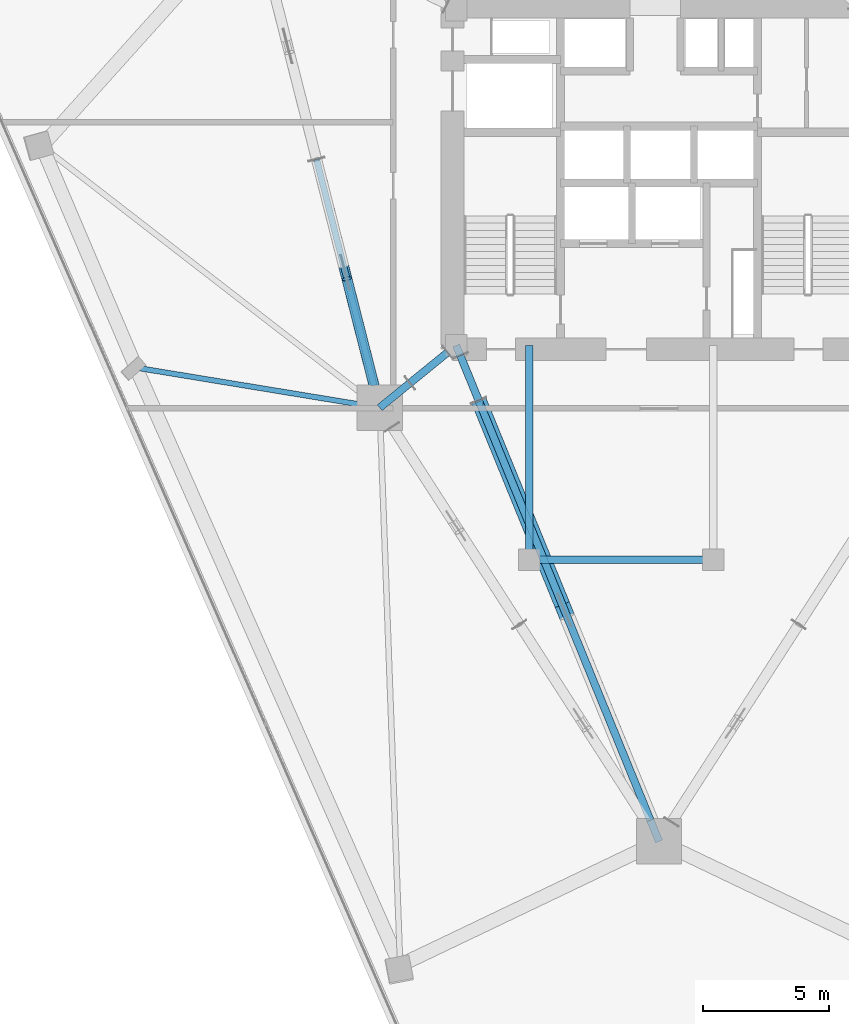
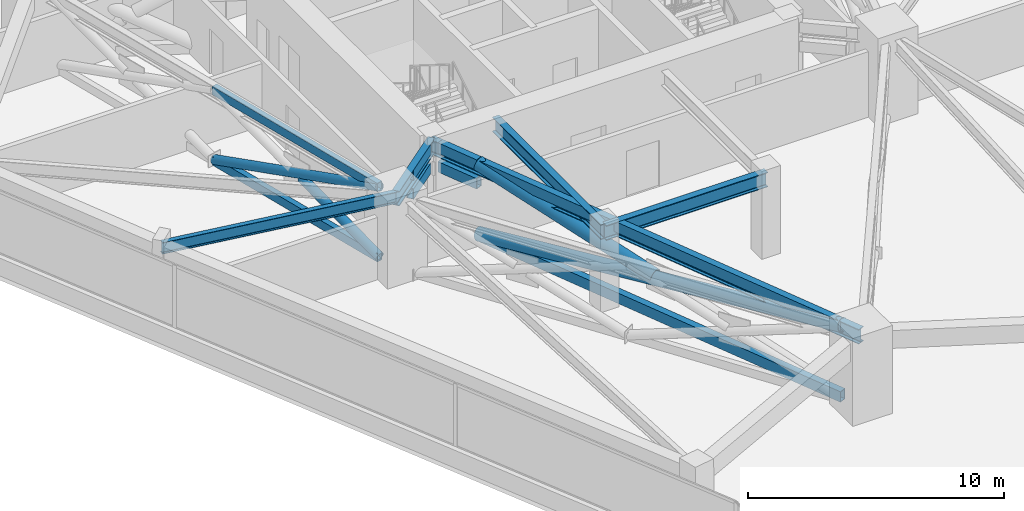
# One storey, part 7 of 20: 12 members, 5 beams.
"""IFC4 building model written with IfcOpenShell, lengths in metres."""

from ifc_helpers import new_model, si_unit, direction, frame, origin, origin_2d, place, context, subcontext, project, spatial, hollow_rectangle, hollow_circle, i_section, extrude, material, material_profile, profile_set, type_object, element, save


model = new_model("IFC4")

# Units and contexts
model_context = context("Model", 3, precision=1e-05, world=origin(), true_north=direction((0.0, 1.0)))
body_context = subcontext(model_context, "Body", "Model", "MODEL_VIEW")
ifc_project = project(units=[si_unit("LENGTHUNIT", "METRE"), si_unit("AREAUNIT", "SQUARE_METRE"), si_unit("VOLUMEUNIT", "CUBIC_METRE"), si_unit("PLANEANGLEUNIT", "RADIAN"), si_unit("MASSUNIT", "GRAM", prefix="KILO")], contexts=[model_context])

# Site, building, storey
site_placement = place(None, origin())
site = spatial("IfcSite", under=ifc_project, at=site_placement, CompositionType="ELEMENT")
building_placement = place(site_placement, origin())
building = spatial("IfcBuilding", under=site, at=building_placement, Name="Talyreon Biosciences Tower", CompositionType="ELEMENT")
storey_placement = place(building_placement, frame((0.0, 0.0, 66.60009765625)))
storey = spatial("IfcBuildingStorey", under=building, at=storey_placement, Name="L17", CompositionType="ELEMENT", Elevation=66.60009765625)

# Members
ifc_material = material(Name="Steel SM355", Category="steel")
ifc_material_profile_1 = material_profile(ifc_material, hollow_circle(Radius=0.203125, WallThickness=0.01611328125, at=origin_2d()), Name="CHS 406.4x16")
ifc_profile_set_1 = profile_set([ifc_material_profile_1], Name="Steel SM355")
member_type_1 = type_object("IfcMemberType", Name="BeltBrace_CHS406", PredefinedType="BRACE", material=ifc_profile_set_1)
member_1_placement = place(storey_placement, frame((52.40576171875, 68.739501953125, 0.239990234375), z_axis=(0.231759370817, -0.911056641468, 0.340974178018), x_axis=(0.969134278925, 0.246533465097, 0.0)))
element("IfcMember", 1, at=member_1_placement, inside=storey, type_object=member_type_1, Name="L17 Continuous Diagonal BELT-L17-B5S2A", PredefinedType="BRACE", context=body_context, shape_type="SweptSolid", body=[
    extrude(hollow_circle(Radius=0.203125, WallThickness=0.01611328125, at=origin_2d()), origin(), (0.0, 0.0, 1.0), 9.853759765625),
])
member_2_placement = place(storey_placement, frame((54.689453125, 59.76220703125, 0.239990234375), z_axis=(-0.231745068683, 0.911061264119, 0.340971547439), x_axis=(-0.969138212624, -0.246518001031, 0.0)))
element("IfcMember", 2, at=member_2_placement, inside=storey, type_object=member_type_1, Name="L17 Split Diagonal BELT-L17-B5S2B-Lower", PredefinedType="BRACE", context=body_context, shape_type="SweptSolid", body=[
    extrude(hollow_circle(Radius=0.203125, WallThickness=0.01611328125, at=origin_2d()), origin(), (0.0, 0.0, 1.0), 4.64697265625),
])
ifc_material_profile_2 = material_profile(ifc_material, hollow_rectangle(XDim=0.25, YDim=0.39990234375, WallThickness=0.01611328125, at=origin_2d()), Name="RHS 400x250x16")
ifc_profile_set_2 = profile_set([ifc_material_profile_2], Name="Steel SM355")
member_type_2 = type_object("IfcMemberType", Name="BeltChord_RHS400x250", PredefinedType="CHORD", material=ifc_profile_set_2)
for number, where, z_axis, x_axis, name in (
    (3, (52.40576171875, 68.739501953125, 0.239990234375), (0.246533465097, -0.969134278925, 0.0), (0.969134278925, 0.246533465097, 0.0), "L17 Truss Bottom Chord BELT-L17-B5S2"),
    (4, (52.40576171875, 68.739501953125, 3.599853515625), (0.246533465097, -0.969134278925, 0.0), (0.969134278925, 0.246533465097, 0.0), "L17 Truss Top Chord BELT-L17-B5S2"),
):
    element("IfcMember", number, at=place(storey_placement, frame(where, z_axis=z_axis, x_axis=x_axis)), inside=storey, type_object=member_type_2, Name=name, PredefinedType="CHORD", context=body_context, shape_type="SweptSolid", body=[
        extrude(hollow_rectangle(XDim=0.25, YDim=0.39990234375, WallThickness=0.01611328125, at=origin_2d()), origin(), (0.0, 0.0, 1.0), 9.26318359375),
    ])
ifc_material_profile_3 = material_profile(ifc_material, hollow_circle(Radius=0.304931640625, WallThickness=0.02490234375, at=origin_2d()), Name="CHS 610x25")
ifc_profile_set_3 = profile_set([ifc_material_profile_3], Name="Steel SM355")
member_type_3 = type_object("IfcMemberType", Name="OutriggerBrace_CHS610", PredefinedType="BRACE", material=ifc_profile_set_3)
member_3_placement = place(storey_placement, frame((58.839599609375, 59.1748046875, 0.239990234375), z_axis=(0.372123981162, -0.909876323594, 0.183436142587), x_axis=(0.925581942334, 0.378547312796, 0.0)))
element("IfcMember", 5, at=member_3_placement, inside=storey, type_object=member_type_3, Name="L17 Continuous Diagonal OUT-L17-R1A", PredefinedType="BRACE", context=body_context, shape_type="SweptSolid", body=[
    extrude(hollow_circle(Radius=0.304931640625, WallThickness=0.02490234375, at=origin_2d()), origin(), (0.0, 0.0, 1.0), 18.316162109375),
])
member_4_placement = place(storey_placement, frame((62.143310546875, 51.096923828125, 1.97119140625), z_axis=(-0.37212257284, 0.909874339903, 0.183448838562), x_axis=(-0.925582155129, -0.378546792493, 0.0)))
element("IfcMember", 6, at=member_4_placement, inside=storey, type_object=member_type_3, Name="L17 Split Diagonal OUT-L17-R1B-Upper", PredefinedType="BRACE", context=body_context, shape_type="SweptSolid", body=[
    extrude(hollow_circle(Radius=0.304931640625, WallThickness=0.02490234375, at=origin_2d()), origin(), (0.0, 0.0, 1.0), 8.8779296875),
])
ifc_material_profile_4 = material_profile(ifc_material, hollow_rectangle(XDim=0.300048828125, YDim=0.5, WallThickness=0.02001953125, at=origin_2d()), Name="RHS 500x300x20")
ifc_profile_set_4 = profile_set([ifc_material_profile_4], Name="Steel SM355")
member_type_4 = type_object("IfcMemberType", Name="OutriggerChord_RHS500x300", PredefinedType="CHORD", material=ifc_profile_set_4)
for number, where, z_axis, x_axis, name in (
    (7, (58.11474609375, 60.947509765625, 3.599853515625), (0.378478965696, -0.925609892193, 0.0), (0.925609892193, 0.378478965696, 0.0), "L17 Outrigger Core Top Tie 1"),
    (8, (58.11474609375, 60.947509765625, 2.699951171875), (0.378478965696, -0.925609892193, 0.0), (0.925609892193, 0.378478965696, 0.0), "L17 Outrigger Core Plenum Tie 1"),
):
    element("IfcMember", number, at=place(storey_placement, frame(where, z_axis=z_axis, x_axis=x_axis)), inside=storey, type_object=member_type_4, Name=name, PredefinedType="CHORD", context=body_context, shape_type="SweptSolid", body=[
        extrude(hollow_rectangle(XDim=0.300048828125, YDim=0.5, WallThickness=0.02001953125, at=origin_2d()), origin(), (0.0, 0.0, 1.0), 1.915283203125),
    ])
for number, where, z_axis, x_axis, name in (
    (9, (58.839599609375, 59.1748046875, 0.239990234375), (0.378547312796, -0.925581942334, 0.0), (0.925581942334, 0.378547312796, 0.0), "L17 Truss Bottom Chord OUT-L17-R1"),
    (10, (58.839599609375, 59.1748046875, 3.599853515625), (0.378547312796, -0.925581942334, 0.0), (0.925581942334, 0.378547312796, 0.0), "L17 Truss Top Chord OUT-L17-R1"),
):
    element("IfcMember", number, at=place(storey_placement, frame(where, z_axis=z_axis, x_axis=x_axis)), inside=storey, type_object=member_type_4, Name=name, PredefinedType="CHORD", context=body_context, shape_type="SweptSolid", body=[
        extrude(hollow_rectangle(XDim=0.300048828125, YDim=0.5, WallThickness=0.02001953125, at=origin_2d()), origin(), (0.0, 0.0, 1.0), 18.00537109375),
    ])
for number, where, z_axis, x_axis, name in (
    (11, (57.612548828125, 61.075439453125, 3.599853515625), (-0.775805820068, -0.63097173435, 0.0), (0.63097173435, -0.775805820068, 0.0), "L17 Outrigger Core Top Tie 6"),
    (12, (57.612548828125, 61.075439453125, 2.699951171875), (-0.775805820068, -0.63097173435, 0.0), (0.63097173435, -0.775805820068, 0.0), "L17 Outrigger Core Plenum Tie 6"),
):
    element("IfcMember", number, at=place(storey_placement, frame(where, z_axis=z_axis, x_axis=x_axis)), inside=storey, type_object=member_type_4, Name=name, PredefinedType="CHORD", context=body_context, shape_type="SweptSolid", body=[
        extrude(hollow_rectangle(XDim=0.300048828125, YDim=0.5, WallThickness=0.02001953125, at=origin_2d()), origin(), (0.0, 0.0, 1.0), 1.914794921875),
    ])

# Beams
ifc_material_profile_5 = material_profile(ifc_material, i_section(OverallWidth=0.300048828125, OverallDepth=0.699951171875, WebThickness=0.01708984375, FlangeThickness=0.031982421875, FilletRadius=0.027099609375, at=origin_2d()), Name="HE700B")
ifc_profile_set_5 = profile_set([ifc_material_profile_5], Name="Steel SM355")
beam_type_1 = type_object("IfcBeamType", Name="SteelGirder_HE700B", PredefinedType="BEAM", material=ifc_profile_set_5)
beam_1_placement = place(storey_placement, frame((57.949951171875, 61.35009765625, 3.5), z_axis=(0.378547014545, -0.925582064314, 0.0), x_axis=(0.925582064314, 0.378547014545, 0.0)))
element("IfcBeam", 13, at=beam_1_placement, inside=storey, type_object=beam_type_1, Name="L17 Radial Primary Girder 1", PredefinedType="BEAM", context=body_context, shape_type="SweptSolid", body=[
    extrude(i_section(OverallWidth=0.300048828125, OverallDepth=0.699951171875, WebThickness=0.01708984375, FlangeThickness=0.031982421875, FilletRadius=0.027099609375, at=origin_2d()), origin(), (0.0, 0.0, 1.0), 21.265625),
])
beam_2_placement = place(storey_placement, frame((57.949951171875, 61.35009765625, 3.5), z_axis=(-0.775755154013, -0.631034025249, 0.0), x_axis=(0.631034025249, -0.775755154013, 0.0)))
element("IfcBeam", 14, at=beam_2_placement, inside=storey, type_object=beam_type_1, Name="L17 Radial Primary Girder 6", PredefinedType="BEAM", context=body_context, shape_type="SweptSolid", body=[
    extrude(i_section(OverallWidth=0.300048828125, OverallDepth=0.699951171875, WebThickness=0.01708984375, FlangeThickness=0.031982421875, FilletRadius=0.027099609375, at=origin_2d()), origin(), (0.0, 0.0, 1.0), 3.913818359375),
])
beam_3_placement = place(storey_placement, frame((60.85009765625, 52.840087890625, 3.5), z_axis=(1.0, 0.0, 0.0), x_axis=(0.0, 1.0, 0.0)))
element("IfcBeam", 15, at=beam_3_placement, inside=storey, type_object=beam_type_1, Name="L17 Crown Shaft Spine Girder S", PredefinedType="BEAM", context=body_context, shape_type="SweptSolid", body=[
    extrude(i_section(OverallWidth=0.300048828125, OverallDepth=0.699951171875, WebThickness=0.01708984375, FlangeThickness=0.031982421875, FilletRadius=0.027099609375, at=origin_2d()), origin(), (0.0, 0.0, 1.0), 7.2998046875),
])
beam_4_placement = place(storey_placement, frame((60.85009765625, 52.840087890625, 3.5), z_axis=(0.0, 1.0, 0.0), x_axis=(-1.0, 0.0, 0.0)))
element("IfcBeam", 16, at=beam_4_placement, inside=storey, type_object=beam_type_1, Name="L17 Crown Shaft Tie Girder W", PredefinedType="BEAM", context=body_context, shape_type="SweptSolid", body=[
    extrude(i_section(OverallWidth=0.300048828125, OverallDepth=0.699951171875, WebThickness=0.01708984375, FlangeThickness=0.031982421875, FilletRadius=0.027099609375, at=origin_2d()), origin(), (0.0, 0.0, 1.0), 8.510009765625),
])
ifc_material_profile_6 = material_profile(ifc_material, i_section(OverallWidth=0.2099609375, OverallDepth=0.550048828125, WebThickness=0.010986328125, FlangeThickness=0.01708984375, FilletRadius=0.02392578125, at=origin_2d()), Name="IPE550")
ifc_profile_set_6 = profile_set([ifc_material_profile_6], Name="Steel SM355")
beam_type_2 = type_object("IfcBeamType", Name="SteelJoist_IPE550", PredefinedType="JOIST", material=ifc_profile_set_6)
beam_5_placement = place(storey_placement, frame((54.913818359375, 58.88037109375, 3.574951171875), z_axis=(-0.986780235318, 0.162064083574, 0.0), x_axis=(-0.162064083574, -0.986780235318, 0.0)))
element("IfcBeam", 17, at=beam_5_placement, inside=storey, type_object=beam_type_2, Name="L17 Radial Composite Floor Joist PL-SW", PredefinedType="JOIST", context=body_context, shape_type="SweptSolid", body=[
    extrude(i_section(OverallWidth=0.2099609375, OverallDepth=0.550048828125, WebThickness=0.010986328125, FlangeThickness=0.01708984375, FilletRadius=0.02392578125, at=origin_2d()), origin(), (0.0, 0.0, 1.0), 9.802490234375),
])

save(model, "model.ifc")
